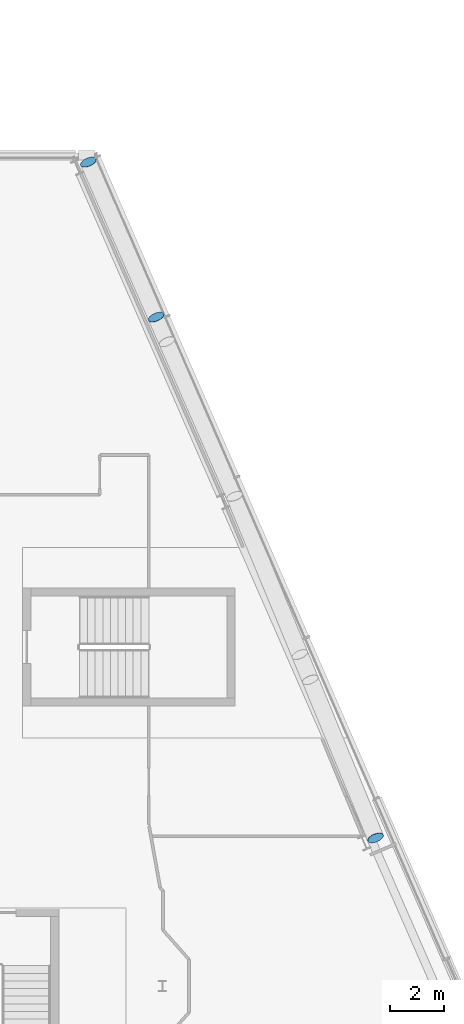
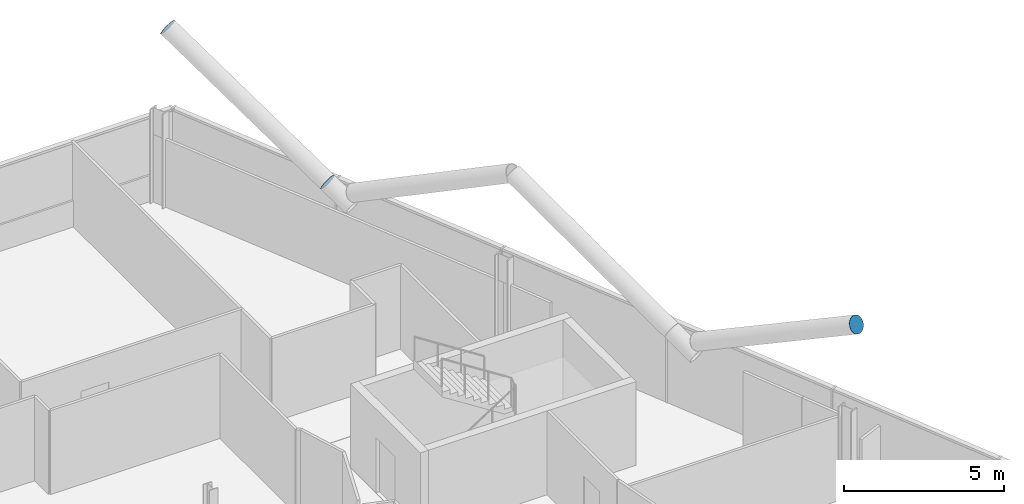
# One storey, part 25 of 28: 3 discrete accessories.
"""IFC4 building model written with IfcOpenShell, lengths in metres."""

from ifc_helpers import new_model, si_unit, direction, frame, origin, origin_2d, place, context, subcontext, project, spatial, circle, extrude, material, material_profile, profile_set, type_object, element, save


model = new_model("IFC4")

# Units and contexts
model_context = context("Model", 3, precision=1e-05, world=origin(), true_north=direction((0.0, 1.0)))
body_context = subcontext(model_context, "Body", "Model", "MODEL_VIEW")
ifc_project = project(units=[si_unit("LENGTHUNIT", "METRE"), si_unit("AREAUNIT", "SQUARE_METRE"), si_unit("VOLUMEUNIT", "CUBIC_METRE"), si_unit("PLANEANGLEUNIT", "RADIAN"), si_unit("MASSUNIT", "GRAM", prefix="KILO")], contexts=[model_context])

# Site, building, storey
site_placement = place(None, origin())
site = spatial("IfcSite", under=ifc_project, at=site_placement, CompositionType="ELEMENT")
building_placement = place(site_placement, origin())
building = spatial("IfcBuilding", under=site, at=building_placement, Name="Wharfspan Tower", CompositionType="ELEMENT")
storey_placement = place(building_placement, frame((0.0, 0.0, 253.899902)))
storey = spatial("IfcBuildingStorey", under=building, at=storey_placement, Name="L64", CompositionType="ELEMENT", Elevation=253.899902)

# Discrete accessories
ifc_material = material(Name="Steel S460NH", Category="steel")
ifc_material_profile = material_profile(ifc_material, circle(Radius=0.304932, at=origin_2d()))
ifc_profile_set = profile_set([ifc_material_profile], Name="Steel S460NH")
discrete_accessory_type = type_object("IfcDiscreteAccessoryType", Name="End plate CHS 610x25", PredefinedType="BRACKET", material=ifc_profile_set)
discrete_accessory_placement = place(storey_placement, frame((79.826904, 16.943115, 6.5), z_axis=(0.334473, -0.812291, 0.477818), x_axis=(0.924674, 0.380749, 1e-06)))
element("IfcDiscreteAccessory", 1, at=discrete_accessory_placement, inside=storey, type_object=discrete_accessory_type, Name="End plate CHS 610x25", PredefinedType="BRACKET", context=body_context, shape_type="SweptSolid", body=[
    extrude(circle(Radius=0.304932, at=origin_2d()), origin(), (0.0, 0.0, 1.0), 0.010254),
])
for number, where, z_axis, x_axis, name in (
    (2, (71.773193, 36.061523, 3.162109), (-0.345075, 0.81339, 0.468316), (-0.920586, -0.390551, -2e-06), "End plate CHS 610x25"),
    (3, (69.284424, 41.753662, 6.5), (-0.341058, 0.803922, 0.487226), (-0.920584, -0.390551, 0.0), "End plate CHS 610x25"),
):
    element("IfcDiscreteAccessory", number, at=place(storey_placement, frame(where, z_axis=z_axis, x_axis=x_axis)), inside=storey, type_object=discrete_accessory_type, Name=name, PredefinedType="BRACKET", context=body_context, shape_type="SweptSolid", body=[
        extrude(circle(Radius=0.304932, at=origin_2d()), origin(), (0.0, 0.0, 1.0), 0.01001),
    ])

save(model, "model.ifc")
